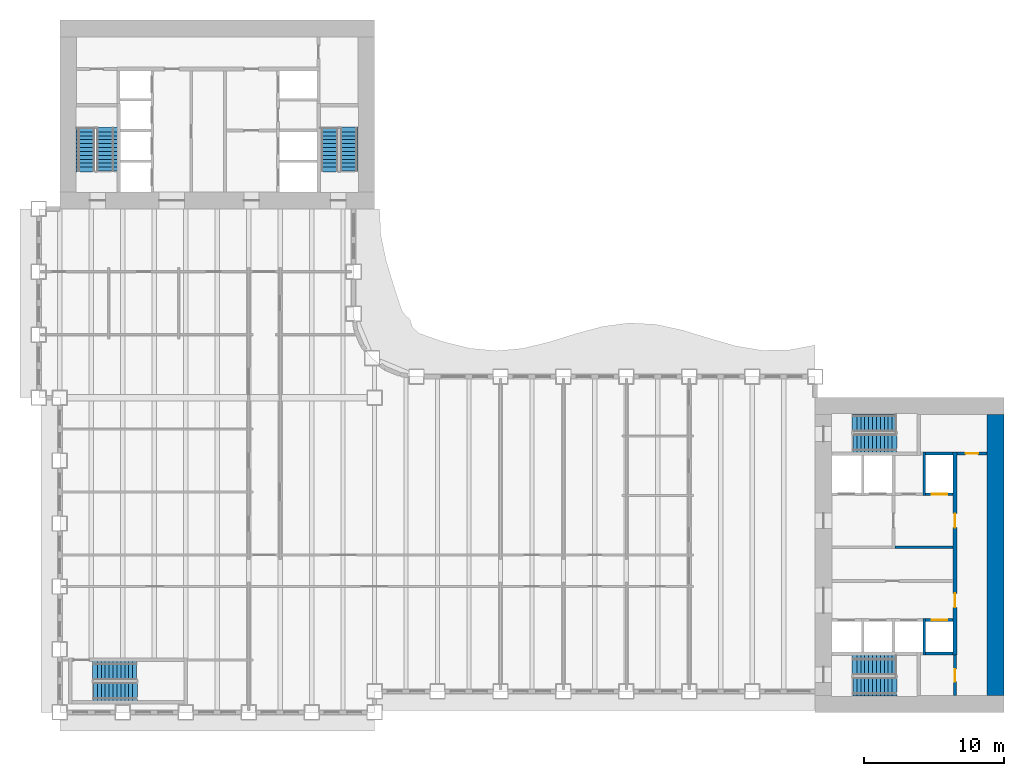
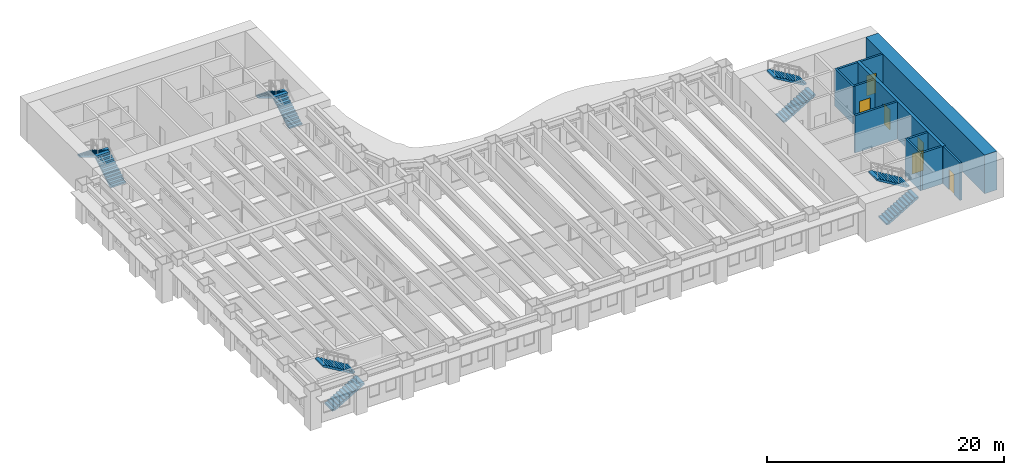
# One storey, part 9 of 15: 11 walls, 10 stair flights, 6 doors, 6 openings, 5 elements without a shape of their own.
"""IFC4 building model written with IfcOpenShell, lengths in metres."""

import ifcopenshell
import ifcopenshell.guid

model = None  # the IFC model being written
_history = None  # IfcOwnerHistory: only IFC2X3 demands one
_inside = {}  # id of a spatial element -> (the spatial element, [elements in it])
_under = {}  # id of a project, library or spatial element -> (it, [spatial elements below it])
_declared = {}  # id of a project -> (the project, [libraries it declares])
_typed = {}  # id of a type object -> (the type object, [elements of that type])
_made_of = {}  # id of a material, layer set ... -> (it, [elements and type objects made of it])


def new_model(schema):
    """Start an empty IFC model of exactly this schema.

    Asked for "IFC4X3", IfcOpenShell would pick the latest addendum, in which some entities
    have other attributes; the version numbers below select the first issue.
    IFC2X3 requires an IfcOwnerHistory on every rooted entity: one is made here for all.
    """
    global model, _history
    if schema == "IFC4X3":
        model = ifcopenshell.file(schema_version=(4, 3, 0, 0))
    else:
        model = ifcopenshell.file(schema=schema)
    _inside.clear()
    _under.clear()
    _declared.clear()
    _typed.clear()
    _made_of.clear()
    _history = None
    if model.schema == "IFC2X3":
        org = make("IfcOrganization", Name="unknown")
        user = make(
            "IfcPersonAndOrganization",
            ThePerson=make("IfcPerson", FamilyName="unknown"),
            TheOrganization=org,
        )
        app = make(
            "IfcApplication",
            ApplicationDeveloper=org,
            Version="unknown",
            ApplicationFullName="unknown",
            ApplicationIdentifier="unknown",
        )
        _history = make(
            "IfcOwnerHistory",
            OwningUser=user,
            OwningApplication=app,
            ChangeAction="ADDED",
            CreationDate=0,
        )
    return model


def make(cls, **values):
    """One entity of the class cls with the attributes given. An attribute that is None is left unset."""
    return model.create_entity(
        cls, **{name: value for name, value in values.items() if value is not None}
    )


def rooted(cls, **values):
    """An entity with a GlobalId (a new one), such as an element, a storey or a relation."""
    return make(cls, GlobalId=ifcopenshell.guid.new(), OwnerHistory=_history, **values)


def si_unit(unit_type, name, prefix=None):
    """IfcSIUnit, for example si_unit("LENGTHUNIT", "METRE", prefix="MILLI")."""
    return make("IfcSIUnit", UnitType=unit_type, Prefix=prefix, Name=name)


def assignment(units):
    """IfcUnitAssignment: the units of a project."""
    return None if units is None else make("IfcUnitAssignment", Units=units)


def point(xyz):
    """IfcCartesianPoint."""
    return None if xyz is None else make("IfcCartesianPoint", Coordinates=xyz)


def direction(xyz):
    """IfcDirection."""
    return None if xyz is None else make("IfcDirection", DirectionRatios=xyz)


def frame(location, z_axis=None, x_axis=None):
    """IfcAxis2Placement3D, a coordinate frame: its origin and axes. An axis left out is left unset."""
    return make(
        "IfcAxis2Placement3D",
        Location=point(location),
        Axis=direction(z_axis),
        RefDirection=direction(x_axis),
    )


def frame_2d(location, x_axis=None):
    """IfcAxis2Placement2D, a coordinate frame in the plane: its origin and x axis."""
    return make(
        "IfcAxis2Placement2D", Location=point(location), RefDirection=direction(x_axis)
    )


def origin():
    """The frame at (0, 0, 0) with its axes left unset."""
    return frame((0.0, 0.0, 0.0))


def place(relative_to, where):
    """IfcLocalPlacement: puts the frame where relative to a parent placement (None: the world)."""
    return make(
        "IfcLocalPlacement", PlacementRelTo=relative_to, RelativePlacement=where
    )


def context(
    kind, dimensions, precision=None, world=None, true_north=None, identifier=None
):
    """IfcGeometricRepresentationContext, for example the 3D "Model" context."""
    return make(
        "IfcGeometricRepresentationContext",
        ContextIdentifier=identifier,
        ContextType=kind,
        CoordinateSpaceDimension=dimensions,
        Precision=precision,
        WorldCoordinateSystem=world,
        TrueNorth=true_north,
    )


def subcontext(parent, identifier, kind, view, scale=None):
    """IfcGeometricRepresentationSubContext, for example "Body" below "Model"."""
    return make(
        "IfcGeometricRepresentationSubContext",
        ContextIdentifier=identifier,
        ContextType=kind,
        ParentContext=parent,
        TargetScale=scale,
        TargetView=view,
    )


def project(units=None, contexts=None):
    """IfcProject with its units and contexts."""
    return rooted(
        "IfcProject",
        Name="project",
        RepresentationContexts=contexts,
        UnitsInContext=assignment(units),
    )


def spatial(cls, under=None, at=None, **own):
    """A site, building, storey or space (cls), placed at a placement, below another one or the project."""
    s = rooted(cls, ObjectPlacement=at, **own)
    if under is not None:
        _under.setdefault(under.id(), (under, []))[1].append(s)
    return s


def polyline(points):
    """IfcPolyline through the points."""
    return make("IfcPolyline", Points=[point(p) for p in points])


def profile(cls, at=None, kind="AREA", **sizes):
    """A parametric profile (cls). Its sizes go by their IFC names, for example OverallWidth=200.0."""
    return make(cls, ProfileType=kind, Position=at, **sizes)


def rectangle(**sizes):
    """IfcRectangleProfileDef."""
    return profile("IfcRectangleProfileDef", **sizes)


def outline(outer, holes=None, kind="AREA"):
    """IfcArbitraryClosedProfileDef: a profile drawn as a closed curve; with holes, ...WithVoids."""
    if holes is None:
        return make("IfcArbitraryClosedProfileDef", ProfileType=kind, OuterCurve=outer)
    return make(
        "IfcArbitraryProfileDefWithVoids",
        ProfileType=kind,
        OuterCurve=outer,
        InnerCurves=holes,
    )


def extrude(swept, where, along, depth):
    """IfcExtrudedAreaSolid: the profile swept, set in the frame where, extruded along a direction by depth."""
    return make(
        "IfcExtrudedAreaSolid",
        SweptArea=swept,
        Position=where,
        ExtrudedDirection=direction(along),
        Depth=depth,
    )


def shape(context_of_items, identifier, shape_type, items):
    """IfcShapeRepresentation: the items that make up one representation, for example the "Body"."""
    return make(
        "IfcShapeRepresentation",
        ContextOfItems=context_of_items,
        RepresentationIdentifier=identifier,
        RepresentationType=shape_type,
        Items=items,
    )


def material(Name=None, Category=None):
    """IfcMaterial."""
    return make("IfcMaterial", Name=Name, Category=Category)


def layer(
    of_material, thickness, ventilated=None, Name=None, Category=None, Priority=None
):
    """IfcMaterialLayer: one layer of a wall or slab, of a material (None: an air gap)."""
    return make(
        "IfcMaterialLayer",
        Material=of_material,
        LayerThickness=thickness,
        IsVentilated=ventilated,
        Name=Name,
        Category=Category,
        Priority=Priority,
    )


def layer_set(layers, Name=None):
    """IfcMaterialLayerSet."""
    return make("IfcMaterialLayerSet", MaterialLayers=layers, LayerSetName=Name)


def made_of(thing, what):
    """Note that an element or type object is made of a material, layer set ...; save() writes the relation."""
    if what is not None:
        _made_of.setdefault(what.id(), (what, []))[1].append(thing)
    return thing


def type_object(cls, material=None, **own):
    """A type object (cls), such as IfcWallType, which elements share."""
    return made_of(rooted(cls, **own), material)


def element(
    cls,
    number,
    at=None,
    inside=None,
    cuts=None,
    type_object=None,
    material=None,
    context=None,
    identifier="Body",
    shape_type=None,
    held_by="IfcProductDefinitionShape",
    body=None,
    shapes=None,
    **own,
):
    """One element of the class cls, such as IfcWall. Its Tag is "e" and its number.

    at: its placement. inside: the storey or other place that contains it. cuts: it is an
    opening in that element (IfcRelVoidsElement). A single representation is given by context,
    identifier, shape_type and body (its items); several are given by shapes. held_by: the class
    of the entity that holds the representations. save() writes the other relations.
    """
    e = rooted(cls, Tag="e%d" % number, ObjectPlacement=at, **own)
    if body is not None:
        shapes = [shape(context, identifier, shape_type, body)]
    if shapes is not None:
        e.Representation = make(held_by, Representations=shapes)
    if inside is not None:
        _inside.setdefault(inside.id(), (inside, []))[1].append(e)
    if cuts is not None:
        rooted(
            "IfcRelVoidsElement", RelatingBuildingElement=cuts, RelatedOpeningElement=e
        )
    if type_object is not None:
        _typed.setdefault(type_object.id(), (type_object, []))[1].append(e)
    return made_of(e, material)


def fill(opening, filler):
    """IfcRelFillsElement: the door or window that sits in an opening."""
    return rooted(
        "IfcRelFillsElement",
        RelatingOpeningElement=opening,
        RelatedBuildingElement=filler,
    )


def aggregate(whole, parts):
    """IfcRelAggregates: a whole, such as a stair, and the parts it consists of."""
    return rooted("IfcRelAggregates", RelatingObject=whole, RelatedObjects=parts)


def save(model, path):
    """Write the relations noted so far, then the file.

    IfcRelAggregates (storeys below a building ...), IfcRelContainedInSpatialStructure (elements
    in a storey), IfcRelDefinesByType, IfcRelAssociatesMaterial and IfcRelDeclares: one each for
    every whole, place, type object, material and project.
    """
    for whole, parts in _under.values():
        aggregate(whole, parts)
    for where, things in _inside.values():
        rooted(
            "IfcRelContainedInSpatialStructure",
            RelatedElements=things,
            RelatingStructure=where,
        )
    for kind, things in _typed.values():
        rooted("IfcRelDefinesByType", RelatedObjects=things, RelatingType=kind)
    for what, things in _made_of.values():
        rooted("IfcRelAssociatesMaterial", RelatedObjects=things, RelatingMaterial=what)
    for by, libraries in _declared.values():
        rooted("IfcRelDeclares", RelatingContext=by, RelatedDefinitions=libraries)
    model.write(path)


model = new_model("IFC4")

# Units and contexts
model_context = context("Model", 3, precision=1e-05, world=origin(), true_north=direction((0.0, 1.0)))
body_context = subcontext(model_context, "Body", "Model", "MODEL_VIEW")
ifc_project = project(units=[si_unit("LENGTHUNIT", "METRE"), si_unit("AREAUNIT", "SQUARE_METRE"), si_unit("VOLUMEUNIT", "CUBIC_METRE"), si_unit("PLANEANGLEUNIT", "RADIAN"), si_unit("MASSUNIT", "GRAM", prefix="KILO")], contexts=[model_context])

# Site, building, storey
site_placement = place(None, origin())
site = spatial("IfcSite", under=ifc_project, at=site_placement, CompositionType="ELEMENT")
building_placement = place(site_placement, origin())
building = spatial("IfcBuilding", under=site, at=building_placement, Name="Sennacour Bend Tower", CompositionType="ELEMENT")
storey_placement = place(building_placement, frame((0.0, 0.0, 61.0)))
storey = spatial("IfcBuildingStorey", under=building, at=storey_placement, Name="L13", CompositionType="ELEMENT", Elevation=61.0)

# Wall
ifc_material_1 = material(Name="Concrete C80/95", Category="concrete")
ifc_layer_1 = layer(ifc_material_1, 1.199951171875, Name="Concrete C80/95", Category="concrete")
ifc_layer_set_1 = layer_set([ifc_layer_1], Name="Concrete C80/95")
wall_type_1 = type_object("IfcWallType", Name="Core wall 1200 C80/95", PredefinedType="SHEAR", material=ifc_layer_set_1)
wall_1_placement = place(storey_placement, frame((66.89990234375, 1.199951171875, -0.14990234375), z_axis=(0.0, 0.0, 1.0), x_axis=(0.0, 1.0, 0.0)))
element("IfcWall", 1, at=wall_1_placement, inside=storey, type_object=wall_type_1, Name="Core A wall L13 E", PredefinedType="SHEAR", context=body_context, shape_type="SweptSolid", body=[
    extrude(rectangle(XDim=20.10009765625, YDim=1.199951171875, at=frame_2d((10.050048828125, 0.0))), origin(), (0.0, 0.0, 1.0), 4.0),
])

# Wall, opening, door
ifc_material_2 = material(Name="Fire-rated plasterboard partition on steel studs", Category="steel")
ifc_layer_2 = layer(ifc_material_2, 0.199951171875, Name="Fire-rated plasterboard partition on steel studs", Category="steel")
ifc_layer_set_2 = layer_set([ifc_layer_2], Name="Fire-rated plasterboard partition on steel studs")
wall_type_2 = type_object("IfcWallType", Name="Rated partition 200", PredefinedType="PARTITIONING", material=ifc_layer_set_2)
wall_2_placement = place(storey_placement, frame((64.0, 1.199951171875, 0.0), z_axis=(0.0, 0.0, 1.0), x_axis=(0.0, 1.0, 0.0)))
wall_2 = element("IfcWall", 2, at=wall_2_placement, inside=storey, type_object=wall_type_2, Name="P-L13-W040", PredefinedType="PARTITIONING", context=body_context, shape_type="SweptSolid", body=[
    extrude(rectangle(XDim=2.900146484375, YDim=0.199951171875, at=frame_2d((1.4501953125, 0.0))), origin(), (0.0, 0.0, 1.0), 3.85009765625),
])
opening_1_placement = place(wall_2_placement, frame((1.0, 0.0, 0.0)))
opening_1 = element("IfcOpeningElement", 3, at=opening_1_placement, cuts=wall_2, Name="Opening SV", PredefinedType="OPENING", context=body_context, shape_type="SweptSolid", body=[
    extrude(rectangle(XDim=0.89990234375, YDim=2.10009765625, at=frame_2d((0.449951171875, 1.050048828125))), frame((0.0, 0.10986328125, 0.0), z_axis=(0.0, -1.0, 0.0), x_axis=(1.0, 0.0, 0.0)), (0.0, 0.0, 1.0), 0.219970703125),
])
ifc_material_3 = material(Name="Painted steel", Category="steel")
door_type_1 = type_object("IfcDoorType", Name="DR-SERVICE-900", OperationType="NOTDEFINED", PredefinedType="DOOR", material=ifc_material_3)
door_1_placement = place(opening_1_placement, origin())
door_1 = element("IfcDoor", 4, at=door_1_placement, inside=storey, type_object=door_type_1, Name="Door", OperationType="SINGLE_SWING_LEFT", OverallHeight=2.10009765625, OverallWidth=0.89990234375, PredefinedType="DOOR", context=body_context, shape_type="SweptSolid", body=[
    extrude(rectangle(XDim=0.89990234375, YDim=2.10009765625, at=frame_2d((0.449951171875, 1.050048828125))), frame((0.0, 0.02490234375, 0.0), z_axis=(0.0, -1.0, 0.0), x_axis=(1.0, 0.0, 0.0)), (0.0, 0.0, 1.0), 0.050048828125),
])
fill(opening_1, door_1)

# Wall
wall_3_placement = place(storey_placement, frame((59.699951171875, 11.800048828125, 0.0), z_axis=(0.0, 0.0, 1.0), x_axis=(1.0, 0.0, 0.0)))
element("IfcWall", 5, at=wall_3_placement, inside=storey, type_object=wall_type_2, Name="P-L13-W054b", PredefinedType="PARTITIONING", context=body_context, shape_type="SweptSolid", body=[
    extrude(rectangle(XDim=4.150146484375, YDim=0.199951171875, at=frame_2d((2.0751953125, 0.0))), origin(), (0.0, 0.0, 1.0), 3.85009765625),
])

# Wall, opening, door
wall_4_placement = place(storey_placement, frame((64.14990234375, 18.5, 0.0), z_axis=(0.0, 0.0, 1.0), x_axis=(1.0, 0.0, 0.0)))
wall_4 = element("IfcWall", 6, at=wall_4_placement, inside=storey, type_object=wall_type_2, Name="P-L13-W063", PredefinedType="PARTITIONING", context=body_context, shape_type="SweptSolid", body=[
    extrude(rectangle(XDim=2.150146484375, YDim=0.199951171875, at=frame_2d((1.0751953125, 0.0))), origin(), (0.0, 0.0, 1.0), 3.85009765625),
])
opening_2_placement = place(wall_4_placement, frame((0.60009765625, 0.0, 0.0)))
opening_2 = element("IfcOpeningElement", 7, at=opening_2_placement, cuts=wall_4, Name="Opening SV", PredefinedType="OPENING", context=body_context, shape_type="SweptSolid", body=[
    extrude(rectangle(XDim=0.89990234375, YDim=2.10009765625, at=frame_2d((0.449951171875, 1.050048828125))), frame((0.0, 0.10986328125, 0.0), z_axis=(0.0, -1.0, 0.0), x_axis=(1.0, 0.0, 0.0)), (0.0, 0.0, 1.0), 0.219970703125),
])
door_2_placement = place(opening_2_placement, origin())
door_2 = element("IfcDoor", 8, at=door_2_placement, inside=storey, type_object=door_type_1, Name="Door", OperationType="SINGLE_SWING_LEFT", OverallHeight=2.10009765625, OverallWidth=0.89990234375, PredefinedType="DOOR", context=body_context, shape_type="SweptSolid", body=[
    extrude(rectangle(XDim=0.89990234375, YDim=2.10009765625, at=frame_2d((0.449951171875, 1.050048828125))), frame((0.0, 0.02490234375, 0.0), z_axis=(0.0, -1.0, 0.0), x_axis=(1.0, 0.0, 0.0)), (0.0, 0.0, 1.0), 0.050048828125),
])
fill(opening_2, door_2)

# Walls
ifc_material_4 = material(Name="Concrete C50/60", Category="concrete")
ifc_layer_3 = layer(ifc_material_4, 0.199951171875, Name="Concrete C50/60", Category="concrete")
ifc_layer_set_3 = layer_set([ifc_layer_3], Name="Concrete C50/60")
wall_type_3 = type_object("IfcWallType", Name="Shaft wall 200", PredefinedType="SOLIDWALL", material=ifc_layer_set_3)
wall_5_placement = place(storey_placement, frame((61.800048828125, 4.10009765625, 0.0), z_axis=(0.0, 0.0, 1.0), x_axis=(0.0, 1.0, 0.0)))
element("IfcWall", 9, at=wall_5_placement, inside=storey, type_object=wall_type_3, Name="P-L13-W038", PredefinedType="SOLIDWALL", context=body_context, shape_type="SweptSolid", body=[
    extrude(rectangle(XDim=2.599853515625, YDim=0.199951171875, at=frame_2d((1.2998046875, 0.0))), origin(), (0.0, 0.0, 1.0), 3.85009765625),
])
wall_6_placement = place(storey_placement, frame((61.800048828125, 15.5, 0.0), z_axis=(0.0, 0.0, 1.0), x_axis=(0.0, 1.0, 0.0)))
element("IfcWall", 10, at=wall_6_placement, inside=storey, type_object=wall_type_3, Name="P-L13-W039", PredefinedType="SOLIDWALL", context=body_context, shape_type="SweptSolid", body=[
    extrude(rectangle(XDim=3.10009765625, YDim=0.199951171875, at=frame_2d((1.550048828125, 0.0))), origin(), (0.0, 0.0, 1.0), 3.85009765625),
])
wall_7_placement = place(storey_placement, frame((61.89990234375, 4.199951171875, 0.0), z_axis=(0.0, 0.0, 1.0), x_axis=(1.0, 0.0, 0.0)))
element("IfcWall", 11, at=wall_7_placement, inside=storey, type_object=wall_type_3, Name="P-L13-W049b", PredefinedType="SOLIDWALL", context=body_context, shape_type="SweptSolid", body=[
    extrude(rectangle(XDim=1.9501953125, YDim=0.199951171875, at=frame_2d((0.97509765625, 0.0))), origin(), (0.0, 0.0, 1.0), 3.85009765625),
])

# Wall, opening, door
wall_8_placement = place(storey_placement, frame((61.89990234375, 6.60009765625, 0.0), z_axis=(0.0, 0.0, 1.0), x_axis=(1.0, 0.0, 0.0)))
wall_8 = element("IfcWall", 12, at=wall_8_placement, inside=storey, type_object=wall_type_3, Name="P-L13-W050d", PredefinedType="SOLIDWALL", context=body_context, shape_type="SweptSolid", body=[
    extrude(rectangle(XDim=1.9501953125, YDim=0.199951171875, at=frame_2d((0.97509765625, 0.0))), origin(), (0.0, 0.0, 1.0), 3.85009765625),
])
opening_3_placement = place(wall_8_placement, frame((0.425048828125, 0.0, 0.011962890625)))
opening_3 = element("IfcOpeningElement", 13, at=opening_3_placement, cuts=wall_8, Name="Opening LD", PredefinedType="OPENING", context=body_context, shape_type="SweptSolid", body=[
    extrude(rectangle(XDim=1.10009765625, YDim=2.10009765625, at=frame_2d((0.550048828125, 1.050048828125))), frame((0.0, 0.10986328125, 0.0), z_axis=(0.0, -1.0, 0.0), x_axis=(1.0, 0.0, 0.0)), (0.0, 0.0, 1.0), 0.219970703125),
])
ifc_material_5 = material(Name="Stainless steel", Category="steel")
door_type_2 = type_object("IfcDoorType", Name="DR-LANDING-1100", OperationType="NOTDEFINED", PredefinedType="DOOR", material=ifc_material_5)
door_3_placement = place(opening_3_placement, origin())
door_3 = element("IfcDoor", 14, at=door_3_placement, inside=storey, type_object=door_type_2, Name="Lift landing door LA4", OperationType="SLIDING_TO_RIGHT", OverallHeight=2.10009765625, OverallWidth=1.10009765625, PredefinedType="DOOR", context=body_context, shape_type="SweptSolid", body=[
    extrude(rectangle(XDim=1.10009765625, YDim=2.10009765625, at=frame_2d((0.550048828125, 1.050048828125))), frame((0.0, 0.02490234375, 0.0), z_axis=(0.0, -1.0, 0.0), x_axis=(1.0, 0.0, 0.0)), (0.0, 0.0, 1.0), 0.050048828125),
])
fill(opening_3, door_3)

wall_9_placement = place(storey_placement, frame((61.89990234375, 15.60009765625, 0.0), z_axis=(0.0, 0.0, 1.0), x_axis=(1.0, 0.0, 0.0)))
wall_9 = element("IfcWall", 15, at=wall_9_placement, inside=storey, type_object=wall_type_3, Name="P-L13-W058", PredefinedType="SOLIDWALL", context=body_context, shape_type="SweptSolid", body=[
    extrude(rectangle(XDim=1.9501953125, YDim=0.199951171875, at=frame_2d((0.97509765625, 0.0))), origin(), (0.0, 0.0, 1.0), 3.85009765625),
])
opening_4_placement = place(wall_9_placement, frame((0.425048828125, 0.0, 0.011962890625)))
opening_4 = element("IfcOpeningElement", 16, at=opening_4_placement, cuts=wall_9, Name="Opening LD", PredefinedType="OPENING", context=body_context, shape_type="SweptSolid", body=[
    extrude(rectangle(XDim=1.10009765625, YDim=2.10009765625, at=frame_2d((0.550048828125, 1.050048828125))), frame((0.0, 0.10986328125, 0.0), z_axis=(0.0, -1.0, 0.0), x_axis=(1.0, 0.0, 0.0)), (0.0, 0.0, 1.0), 0.219970703125),
])
door_4_placement = place(opening_4_placement, origin())
door_4 = element("IfcDoor", 17, at=door_4_placement, inside=storey, type_object=door_type_2, Name="Lift landing door LA5", OperationType="SLIDING_TO_LEFT", OverallHeight=2.10009765625, OverallWidth=1.10009765625, PredefinedType="DOOR", context=body_context, shape_type="SweptSolid", body=[
    extrude(rectangle(XDim=1.10009765625, YDim=2.10009765625, at=frame_2d((0.550048828125, 1.050048828125))), frame((0.0, 0.02490234375, 0.0), z_axis=(0.0, -1.0, 0.0), x_axis=(1.0, 0.0, 0.0)), (0.0, 0.0, 1.0), 0.050048828125),
])
fill(opening_4, door_4)

# Wall
wall_10_placement = place(storey_placement, frame((61.89990234375, 18.5, 0.0), z_axis=(0.0, 0.0, 1.0), x_axis=(1.0, 0.0, 0.0)))
element("IfcWall", 18, at=wall_10_placement, inside=storey, type_object=wall_type_3, Name="P-L13-W062", PredefinedType="SOLIDWALL", context=body_context, shape_type="SweptSolid", body=[
    extrude(rectangle(XDim=1.9501953125, YDim=0.199951171875, at=frame_2d((0.97509765625, 0.0))), origin(), (0.0, 0.0, 1.0), 3.85009765625),
])

# Wall, openings, doors
ifc_material_6 = material(Name="Concrete C60/75", Category="concrete")
ifc_layer_4 = layer(ifc_material_6, 0.300048828125, Name="Concrete C60/75", Category="concrete")
ifc_layer_set_4 = layer_set([ifc_layer_4], Name="Concrete C60/75")
wall_type_4 = type_object("IfcWallType", Name="Spine wall 300", PredefinedType="SHEAR", material=ifc_layer_set_4)
wall_11_placement = place(storey_placement, frame((64.0, 4.10009765625, 0.0), z_axis=(0.0, 0.0, 1.0), x_axis=(0.0, 1.0, 0.0)))
wall_11 = element("IfcWall", 19, at=wall_11_placement, inside=storey, type_object=wall_type_4, Name="P-L13-W041", PredefinedType="SHEAR", context=body_context, shape_type="SweptSolid", body=[
    extrude(rectangle(XDim=14.5, YDim=0.300048828125, at=frame_2d((7.25, 0.0))), origin(), (0.0, 0.0, 1.0), 3.85009765625),
])
opening_5_placement = place(wall_11_placement, frame((3.39990234375, 0.0, 0.0)))
opening_5 = element("IfcOpeningElement", 20, at=opening_5_placement, cuts=wall_11, Name="Opening CD2", PredefinedType="OPENING", context=body_context, shape_type="SweptSolid", body=[
    extrude(rectangle(XDim=1.0, YDim=2.10009765625, at=frame_2d((0.5, 1.050048828125))), frame((0.0, 0.16015625, 0.0), z_axis=(0.0, -1.0, 0.0), x_axis=(1.0, 0.0, 0.0)), (0.0, 0.0, 1.0), 0.320068359375),
])
opening_6_placement = place(wall_11_placement, frame((9.099853515625, 0.0, 0.0)))
opening_6 = element("IfcOpeningElement", 21, at=opening_6_placement, cuts=wall_11, Name="Opening CD2", PredefinedType="OPENING", context=body_context, shape_type="SweptSolid", body=[
    extrude(rectangle(XDim=1.0, YDim=2.10009765625, at=frame_2d((0.5, 1.050048828125))), frame((0.0, 0.16015625, 0.0), z_axis=(0.0, -1.0, 0.0), x_axis=(1.0, 0.0, 0.0)), (0.0, 0.0, 1.0), 0.320068359375),
])
door_type_3 = type_object("IfcDoorType", Name="DR-LOBBY-1000", OperationType="NOTDEFINED", PredefinedType="DOOR", material=ifc_material_3)
door_5_placement = place(opening_5_placement, origin())
door_5 = element("IfcDoor", 22, at=door_5_placement, inside=storey, type_object=door_type_3, Name="Door", OperationType="SINGLE_SWING_LEFT", OverallHeight=2.10009765625, OverallWidth=1.0, PredefinedType="DOOR", context=body_context, shape_type="SweptSolid", body=[
    extrude(rectangle(XDim=1.0, YDim=2.10009765625, at=frame_2d((0.5, 1.050048828125))), frame((0.0, 0.02490234375, 0.0), z_axis=(0.0, -1.0, 0.0), x_axis=(1.0, 0.0, 0.0)), (0.0, 0.0, 1.0), 0.050048828125),
])
fill(opening_5, door_5)
door_6_placement = place(opening_6_placement, origin())
door_6 = element("IfcDoor", 23, at=door_6_placement, inside=storey, type_object=door_type_3, Name="Door", OperationType="SINGLE_SWING_RIGHT", OverallHeight=2.10009765625, OverallWidth=1.0, PredefinedType="DOOR", context=body_context, shape_type="SweptSolid", body=[
    extrude(rectangle(XDim=1.0, YDim=2.10009765625, at=frame_2d((0.5, 1.050048828125))), frame((0.0, 0.02490234375, 0.0), z_axis=(0.0, -1.0, 0.0), x_axis=(1.0, 0.0, 0.0)), (0.0, 0.0, 1.0), 0.050048828125),
])
fill(opening_6, door_6)

# Stair, stair flights
ifc_material_7 = material(Name="Concrete C40/50", Category="concrete")
stair_type = type_object("IfcStairType", Name="ST-DOGLEG", PredefinedType="HALF_TURN_STAIR", material=ifc_material_7)
stair_1_placement = place(storey_placement, origin())
stair_1 = element("IfcStair", 24, at=stair_1_placement, inside=storey, type_object=stair_type, Name="L13 Exit stair A1", PredefinedType="HALF_TURN_STAIR")
stair_flight_type = type_object("IfcStairFlightType", Name="SFL-RC", PredefinedType="STRAIGHT", material=ifc_material_7)
stair_flight_1_placement = place(storey_placement, frame((56.699951171875, 1.8349609375, 0.0), z_axis=(0.0, 0.0, 1.0), x_axis=(1.0, 0.0, 0.0)))
stair_flight_1 = element("IfcStairFlight", 25, at=stair_flight_1_placement, type_object=stair_flight_type, Name="SA1 flight 1", NumberOfRisers=12, NumberOfTreads=11, PredefinedType="STRAIGHT", RiserHeight=0.166666667, TreadLength=0.28, context=body_context, shape_type="SweptSolid", body=[
    extrude(outline(polyline([(0.0, 0.0), (0.0, 0.166748046875), (0.280029296875, 0.166748046875), (0.280029296875, 0.333251953125), (0.56005859375, 0.333251953125), (0.56005859375, 0.5), (0.840087890625, 0.5), (0.840087890625, 0.666748046875), (1.1201171875, 0.666748046875), (1.1201171875, 0.833251953125), (1.39990234375, 0.833251953125), (1.39990234375, 1.0), (1.679931640625, 1.0), (1.679931640625, 1.166748046875), (1.9599609375, 1.166748046875), (1.9599609375, 1.333251953125), (2.239990234375, 1.333251953125), (2.239990234375, 1.5), (2.52001953125, 1.5), (2.52001953125, 1.666748046875), (2.800048828125, 1.666748046875), (2.800048828125, 1.833251953125), (3.080078125, 1.833251953125), (3.139892578125, 1.833251953125), (3.139892578125, 1.658935546875), (3.080078125, 1.658935546875), (0.29296875, 0.0), (0.0, 0.0)])), frame((0.0, 0.6650390625, 0.0), z_axis=(0.0, -1.0, 0.0), x_axis=(1.0, 0.0, 0.0)), (0.0, 0.0, 1.0), 1.330078125),
])
stair_flight_2_placement = place(storey_placement, frame((59.780029296875, 3.37744140625, 2.0), z_axis=(0.0, 0.0, 1.0), x_axis=(-1.0, 0.0, 0.0)))
stair_flight_2 = element("IfcStairFlight", 26, at=stair_flight_2_placement, type_object=stair_flight_type, Name="SA1 flight 2", NumberOfRisers=12, NumberOfTreads=11, PredefinedType="STRAIGHT", RiserHeight=0.166666667, TreadLength=0.28, context=body_context, shape_type="SweptSolid", body=[
    extrude(outline(polyline([(0.0, 0.0), (0.0, 0.166748046875), (0.280029296875, 0.166748046875), (0.280029296875, 0.333251953125), (0.56005859375, 0.333251953125), (0.56005859375, 0.5), (0.840087890625, 0.5), (0.840087890625, 0.666748046875), (1.1201171875, 0.666748046875), (1.1201171875, 0.833251953125), (1.39990234375, 0.833251953125), (1.39990234375, 1.0), (1.679931640625, 1.0), (1.679931640625, 1.166748046875), (1.9599609375, 1.166748046875), (1.9599609375, 1.333251953125), (2.239990234375, 1.333251953125), (2.239990234375, 1.5), (2.52001953125, 1.5), (2.52001953125, 1.666748046875), (2.800048828125, 1.666748046875), (2.800048828125, 1.833251953125), (3.080078125, 1.833251953125), (3.139892578125, 1.833251953125), (3.139892578125, 1.658935546875), (3.080078125, 1.658935546875), (0.29296875, 0.0), (0.0, 0.0)])), frame((0.0, 0.7275390625, 0.0), z_axis=(0.0, -1.0, 0.0), x_axis=(1.0, 0.0, 0.0)), (0.0, 0.0, 1.0), 1.455078125),
])
aggregate(stair_1, [stair_flight_1, stair_flight_2])

stair_2_placement = place(storey_placement, origin())
stair_2 = element("IfcStair", 27, at=stair_2_placement, inside=storey, type_object=stair_type, Name="L13 Exit stair A2", PredefinedType="HALF_TURN_STAIR")
stair_flight_3_placement = place(storey_placement, frame((56.699951171875, 19.24755859375, 0.0), z_axis=(0.0, 0.0, 1.0), x_axis=(1.0, 0.0, 0.0)))
stair_flight_3 = element("IfcStairFlight", 28, at=stair_flight_3_placement, type_object=stair_flight_type, Name="SA2 flight 1", NumberOfRisers=12, NumberOfTreads=11, PredefinedType="STRAIGHT", RiserHeight=0.166666667, TreadLength=0.28, context=body_context, shape_type="SweptSolid", body=[
    extrude(outline(polyline([(0.0, 0.0), (0.0, 0.166748046875), (0.280029296875, 0.166748046875), (0.280029296875, 0.333251953125), (0.56005859375, 0.333251953125), (0.56005859375, 0.5), (0.840087890625, 0.5), (0.840087890625, 0.666748046875), (1.1201171875, 0.666748046875), (1.1201171875, 0.833251953125), (1.39990234375, 0.833251953125), (1.39990234375, 1.0), (1.679931640625, 1.0), (1.679931640625, 1.166748046875), (1.9599609375, 1.166748046875), (1.9599609375, 1.333251953125), (2.239990234375, 1.333251953125), (2.239990234375, 1.5), (2.52001953125, 1.5), (2.52001953125, 1.666748046875), (2.800048828125, 1.666748046875), (2.800048828125, 1.833251953125), (3.080078125, 1.833251953125), (3.139892578125, 1.833251953125), (3.139892578125, 1.658935546875), (3.080078125, 1.658935546875), (0.29296875, 0.0), (0.0, 0.0)])), frame((0.0, 0.65234375, 0.0), z_axis=(0.0, -1.0, 0.0), x_axis=(1.0, 0.0, 0.0)), (0.0, 0.0, 1.0), 1.304931640625),
])
stair_flight_4_placement = place(storey_placement, frame((59.780029296875, 20.68994140625, 2.0), z_axis=(0.0, 0.0, 1.0), x_axis=(-1.0, 0.0, 0.0)))
stair_flight_4 = element("IfcStairFlight", 29, at=stair_flight_4_placement, type_object=stair_flight_type, Name="SA2 flight 2", NumberOfRisers=12, NumberOfTreads=11, PredefinedType="STRAIGHT", RiserHeight=0.166666667, TreadLength=0.28, context=body_context, shape_type="SweptSolid", body=[
    extrude(outline(polyline([(0.0, 0.0), (0.0, 0.166748046875), (0.280029296875, 0.166748046875), (0.280029296875, 0.333251953125), (0.56005859375, 0.333251953125), (0.56005859375, 0.5), (0.840087890625, 0.5), (0.840087890625, 0.666748046875), (1.1201171875, 0.666748046875), (1.1201171875, 0.833251953125), (1.39990234375, 0.833251953125), (1.39990234375, 1.0), (1.679931640625, 1.0), (1.679931640625, 1.166748046875), (1.9599609375, 1.166748046875), (1.9599609375, 1.333251953125), (2.239990234375, 1.333251953125), (2.239990234375, 1.5), (2.52001953125, 1.5), (2.52001953125, 1.666748046875), (2.800048828125, 1.666748046875), (2.800048828125, 1.833251953125), (3.080078125, 1.833251953125), (3.139892578125, 1.833251953125), (3.139892578125, 1.658935546875), (3.080078125, 1.658935546875), (0.29296875, 0.0), (0.0, 0.0)])), frame((0.0, 0.64013671875, 0.0), z_axis=(0.0, -1.0, 0.0), x_axis=(1.0, 0.0, 0.0)), (0.0, 0.0, 1.0), 1.280029296875),
])
aggregate(stair_2, [stair_flight_3, stair_flight_4])

stair_3_placement = place(storey_placement, origin())
stair_3 = element("IfcStair", 30, at=stair_3_placement, inside=storey, type_object=stair_type, Name="L13 Exit stair B1", PredefinedType="HALF_TURN_STAIR")
stair_flight_5_placement = place(storey_placement, frame((3.37744140625, 38.699951171875, 0.0), z_axis=(0.0, 0.0, 1.0), x_axis=(0.0, 1.0, 0.0)))
stair_flight_5 = element("IfcStairFlight", 31, at=stair_flight_5_placement, type_object=stair_flight_type, Name="SB1 flight 1", NumberOfRisers=12, NumberOfTreads=11, PredefinedType="STRAIGHT", RiserHeight=0.166666667, TreadLength=0.28, context=body_context, shape_type="SweptSolid", body=[
    extrude(outline(polyline([(0.0, 0.0), (0.0, 0.166748046875), (0.280029296875, 0.166748046875), (0.280029296875, 0.333251953125), (0.56005859375, 0.333251953125), (0.56005859375, 0.5), (0.840087890625, 0.5), (0.840087890625, 0.666748046875), (1.1201171875, 0.666748046875), (1.1201171875, 0.833251953125), (1.39990234375, 0.833251953125), (1.39990234375, 1.0), (1.679931640625, 1.0), (1.679931640625, 1.166748046875), (1.9599609375, 1.166748046875), (1.9599609375, 1.333251953125), (2.239990234375, 1.333251953125), (2.239990234375, 1.5), (2.52001953125, 1.5), (2.52001953125, 1.666748046875), (2.800048828125, 1.666748046875), (2.800048828125, 1.833251953125), (3.080078125, 1.833251953125), (3.139892578125, 1.833251953125), (3.139892578125, 1.658935546875), (3.080078125, 1.658935546875), (0.29296875, 0.0), (0.0, 0.0)])), frame((0.0, 0.7275390625, 0.0), z_axis=(0.0, -1.0, 0.0), x_axis=(1.0, 0.0, 0.0)), (0.0, 0.0, 1.0), 1.455078125),
])
stair_flight_6_placement = place(storey_placement, frame((1.8349609375, 41.780029296875, 2.0), z_axis=(0.0, 0.0, 1.0), x_axis=(0.0, -1.0, 0.0)))
stair_flight_6 = element("IfcStairFlight", 32, at=stair_flight_6_placement, type_object=stair_flight_type, Name="SB1 flight 2", NumberOfRisers=12, NumberOfTreads=11, PredefinedType="STRAIGHT", RiserHeight=0.166666667, TreadLength=0.28, context=body_context, shape_type="SweptSolid", body=[
    extrude(outline(polyline([(0.0, 0.0), (0.0, 0.166748046875), (0.280029296875, 0.166748046875), (0.280029296875, 0.333251953125), (0.56005859375, 0.333251953125), (0.56005859375, 0.5), (0.840087890625, 0.5), (0.840087890625, 0.666748046875), (1.1201171875, 0.666748046875), (1.1201171875, 0.833251953125), (1.39990234375, 0.833251953125), (1.39990234375, 1.0), (1.679931640625, 1.0), (1.679931640625, 1.166748046875), (1.9599609375, 1.166748046875), (1.9599609375, 1.333251953125), (2.239990234375, 1.333251953125), (2.239990234375, 1.5), (2.52001953125, 1.5), (2.52001953125, 1.666748046875), (2.800048828125, 1.666748046875), (2.800048828125, 1.833251953125), (3.080078125, 1.833251953125), (3.139892578125, 1.833251953125), (3.139892578125, 1.658935546875), (3.080078125, 1.658935546875), (0.29296875, 0.0), (0.0, 0.0)])), frame((0.0, 0.6650390625, 0.0), z_axis=(0.0, -1.0, 0.0), x_axis=(1.0, 0.0, 0.0)), (0.0, 0.0, 1.0), 1.330078125),
])
aggregate(stair_3, [stair_flight_5, stair_flight_6])

stair_4_placement = place(storey_placement, origin())
stair_4 = element("IfcStair", 33, at=stair_4_placement, inside=storey, type_object=stair_type, Name="L13 Exit stair B2", PredefinedType="HALF_TURN_STAIR")
stair_flight_7_placement = place(storey_placement, frame((20.68994140625, 38.699951171875, 0.0), z_axis=(0.0, 0.0, 1.0), x_axis=(0.0, 1.0, 0.0)))
stair_flight_7 = element("IfcStairFlight", 34, at=stair_flight_7_placement, type_object=stair_flight_type, Name="SB2 flight 1", NumberOfRisers=12, NumberOfTreads=11, PredefinedType="STRAIGHT", RiserHeight=0.166666667, TreadLength=0.28, context=body_context, shape_type="SweptSolid", body=[
    extrude(outline(polyline([(0.0, 0.0), (0.0, 0.166748046875), (0.280029296875, 0.166748046875), (0.280029296875, 0.333251953125), (0.56005859375, 0.333251953125), (0.56005859375, 0.5), (0.840087890625, 0.5), (0.840087890625, 0.666748046875), (1.1201171875, 0.666748046875), (1.1201171875, 0.833251953125), (1.39990234375, 0.833251953125), (1.39990234375, 1.0), (1.679931640625, 1.0), (1.679931640625, 1.166748046875), (1.9599609375, 1.166748046875), (1.9599609375, 1.333251953125), (2.239990234375, 1.333251953125), (2.239990234375, 1.5), (2.52001953125, 1.5), (2.52001953125, 1.666748046875), (2.800048828125, 1.666748046875), (2.800048828125, 1.833251953125), (3.080078125, 1.833251953125), (3.139892578125, 1.833251953125), (3.139892578125, 1.658935546875), (3.080078125, 1.658935546875), (0.29296875, 0.0), (0.0, 0.0)])), frame((0.0, 0.64013671875, 0.0), z_axis=(0.0, -1.0, 0.0), x_axis=(1.0, 0.0, 0.0)), (0.0, 0.0, 1.0), 1.280029296875),
])
stair_flight_8_placement = place(storey_placement, frame((19.24755859375, 41.780029296875, 2.0), z_axis=(0.0, 0.0, 1.0), x_axis=(0.0, -1.0, 0.0)))
stair_flight_8 = element("IfcStairFlight", 35, at=stair_flight_8_placement, type_object=stair_flight_type, Name="SB2 flight 2", NumberOfRisers=12, NumberOfTreads=11, PredefinedType="STRAIGHT", RiserHeight=0.166666667, TreadLength=0.28, context=body_context, shape_type="SweptSolid", body=[
    extrude(outline(polyline([(0.0, 0.0), (0.0, 0.166748046875), (0.280029296875, 0.166748046875), (0.280029296875, 0.333251953125), (0.56005859375, 0.333251953125), (0.56005859375, 0.5), (0.840087890625, 0.5), (0.840087890625, 0.666748046875), (1.1201171875, 0.666748046875), (1.1201171875, 0.833251953125), (1.39990234375, 0.833251953125), (1.39990234375, 1.0), (1.679931640625, 1.0), (1.679931640625, 1.166748046875), (1.9599609375, 1.166748046875), (1.9599609375, 1.333251953125), (2.239990234375, 1.333251953125), (2.239990234375, 1.5), (2.52001953125, 1.5), (2.52001953125, 1.666748046875), (2.800048828125, 1.666748046875), (2.800048828125, 1.833251953125), (3.080078125, 1.833251953125), (3.139892578125, 1.833251953125), (3.139892578125, 1.658935546875), (3.080078125, 1.658935546875), (0.29296875, 0.0), (0.0, 0.0)])), frame((0.0, 0.65234375, 0.0), z_axis=(0.0, -1.0, 0.0), x_axis=(1.0, 0.0, 0.0)), (0.0, 0.0, 1.0), 1.304931640625),
])
aggregate(stair_4, [stair_flight_7, stair_flight_8])

stair_5_placement = place(storey_placement, origin())
stair_5 = element("IfcStair", 36, at=stair_5_placement, inside=storey, type_object=stair_type, Name="L13 Exit stair K1", PredefinedType="HALF_TURN_STAIR")
stair_flight_9_placement = place(storey_placement, frame((2.39990234375, 1.485107421875, 0.0), z_axis=(0.0, 0.0, 1.0), x_axis=(1.0, 0.0, 0.0)))
stair_flight_9 = element("IfcStairFlight", 37, at=stair_flight_9_placement, type_object=stair_flight_type, Name="SK1 flight 1", NumberOfRisers=12, NumberOfTreads=11, PredefinedType="STRAIGHT", RiserHeight=0.166666667, TreadLength=0.28, context=body_context, shape_type="SweptSolid", body=[
    extrude(outline(polyline([(0.0, 0.0), (0.0, 0.166748046875), (0.280029296875, 0.166748046875), (0.280029296875, 0.333251953125), (0.56005859375, 0.333251953125), (0.56005859375, 0.5), (0.840087890625, 0.5), (0.840087890625, 0.666748046875), (1.1201171875, 0.666748046875), (1.1201171875, 0.833251953125), (1.39990234375, 0.833251953125), (1.39990234375, 1.0), (1.679931640625, 1.0), (1.679931640625, 1.166748046875), (1.9599609375, 1.166748046875), (1.9599609375, 1.333251953125), (2.239990234375, 1.333251953125), (2.239990234375, 1.5), (2.52001953125, 1.5), (2.52001953125, 1.666748046875), (2.800048828125, 1.666748046875), (2.800048828125, 1.833251953125), (3.080078125, 1.833251953125), (3.139892578125, 1.833251953125), (3.139892578125, 1.658935546875), (3.080078125, 1.658935546875), (0.29296875, 0.0), (0.0, 0.0)])), frame((0.0, 0.6650390625, 0.0), z_axis=(0.0, -1.0, 0.0), x_axis=(1.0, 0.0, 0.0)), (0.0, 0.0, 1.0), 1.330078125),
])
stair_flight_10_placement = place(storey_placement, frame((5.47998046875, 2.9775390625, 2.0), z_axis=(0.0, 0.0, 1.0), x_axis=(-1.0, 0.0, 0.0)))
stair_flight_10 = element("IfcStairFlight", 38, at=stair_flight_10_placement, type_object=stair_flight_type, Name="SK1 flight 2", NumberOfRisers=12, NumberOfTreads=11, PredefinedType="STRAIGHT", RiserHeight=0.166666667, TreadLength=0.28, context=body_context, shape_type="SweptSolid", body=[
    extrude(outline(polyline([(0.0, 0.0), (0.0, 0.166748046875), (0.280029296875, 0.166748046875), (0.280029296875, 0.333251953125), (0.56005859375, 0.333251953125), (0.56005859375, 0.5), (0.840087890625, 0.5), (0.840087890625, 0.666748046875), (1.1201171875, 0.666748046875), (1.1201171875, 0.833251953125), (1.39990234375, 0.833251953125), (1.39990234375, 1.0), (1.679931640625, 1.0), (1.679931640625, 1.166748046875), (1.9599609375, 1.166748046875), (1.9599609375, 1.333251953125), (2.239990234375, 1.333251953125), (2.239990234375, 1.5), (2.52001953125, 1.5), (2.52001953125, 1.666748046875), (2.800048828125, 1.666748046875), (2.800048828125, 1.833251953125), (3.080078125, 1.833251953125), (3.139892578125, 1.833251953125), (3.139892578125, 1.658935546875), (3.080078125, 1.658935546875), (0.29296875, 0.0), (0.0, 0.0)])), frame((0.0, 0.677490234375, 0.0), z_axis=(0.0, -1.0, 0.0), x_axis=(1.0, 0.0, 0.0)), (0.0, 0.0, 1.0), 1.35498046875),
])
aggregate(stair_5, [stair_flight_9, stair_flight_10])

save(model, "model.ifc")
